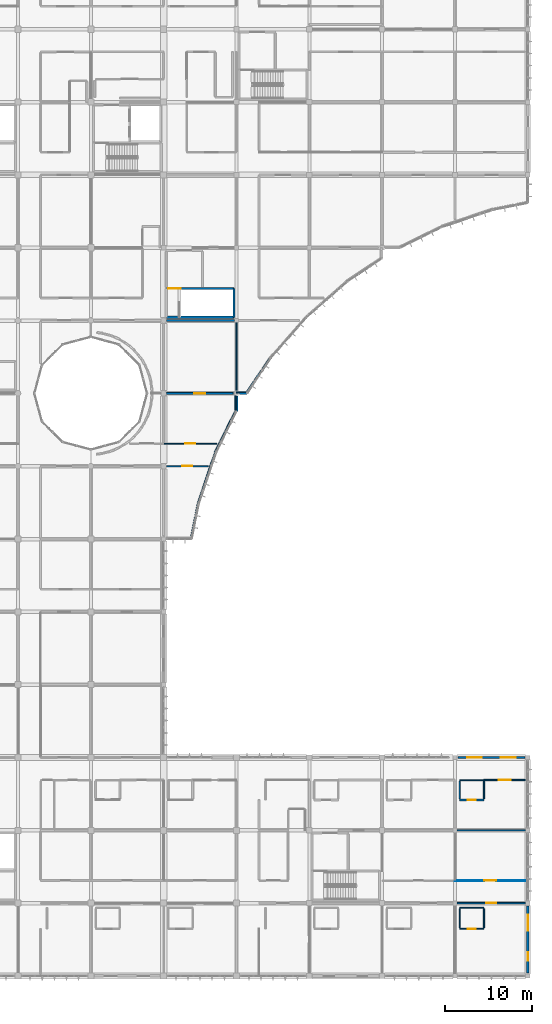
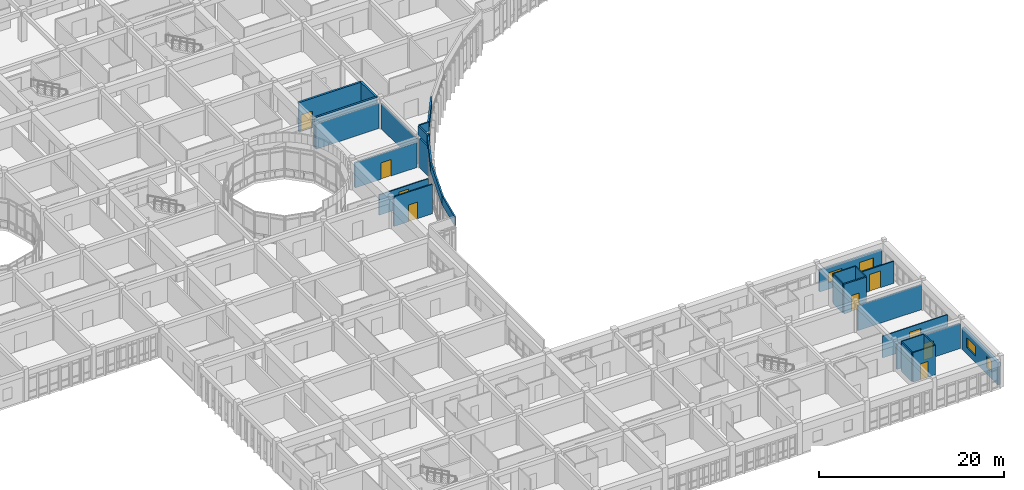
# One storey, part 97 of 119: 30 walls, 9 doors, 4 windows, 13 openings.
"""IFC4 building model written with IfcOpenShell, lengths in metres."""

from ifc_helpers import new_model, si_unit, direction, frame, frame_2d, origin, place, context, subcontext, project, spatial, rectangle, extrude, material, layer, layer_set, type_object, element, fill, save


model = new_model("IFC4")

# Units and contexts
model_context = context("Model", 3, precision=1e-05, world=origin(), true_north=direction((0.0, 1.0)))
body_context = subcontext(model_context, "Body", "Model", "MODEL_VIEW")
ifc_project = project(units=[si_unit("LENGTHUNIT", "METRE"), si_unit("AREAUNIT", "SQUARE_METRE"), si_unit("VOLUMEUNIT", "CUBIC_METRE"), si_unit("PLANEANGLEUNIT", "RADIAN"), si_unit("MASSUNIT", "GRAM", prefix="KILO")], contexts=[model_context])

# Site, building, storey
site_placement = place(None, origin())
site = spatial("IfcSite", under=ifc_project, at=site_placement, CompositionType="ELEMENT")
building_placement = place(site_placement, origin())
building = spatial("IfcBuilding", under=site, at=building_placement, Name="Bramfleet General Hospital", CompositionType="ELEMENT")
storey_placement = place(building_placement, frame((0.0, 0.0, 14.39990234375)))
storey = spatial("IfcBuildingStorey", under=building, at=storey_placement, Name="L03", CompositionType="ELEMENT", Elevation=14.39990234375)

# Wall
ifc_material_1 = material(Name="Precast concrete C40/50", Category="concrete")
ifc_layer_1 = layer(ifc_material_1, 0.3349609375, Name="WT-EW-03")
ifc_layer_set_1 = layer_set([ifc_layer_1], Name="Precast concrete C40/50")
wall_type_1 = type_object("IfcWallType", Name="WT-EW-03", PredefinedType="SOLIDWALL", material=ifc_layer_set_1)
wall_1_placement = place(storey_placement, frame((134.39990234375, 66.875, 0.0), z_axis=(0.0, 0.0, 1.0), x_axis=(0.0, -1.0, 0.0)))
element("IfcWall", 1, at=wall_1_placement, inside=storey, type_object=wall_type_1, Name="L03 Exterior Wall 260", PredefinedType="SOLIDWALL", context=body_context, shape_type="SweptSolid", body=[
    extrude(rectangle(XDim=1.7490234375, YDim=0.3349609375, at=frame_2d((0.87451171875, 0.0))), origin(), (0.0, 0.0, 1.0), 3.89013671875),
])

# Wall, openings, windows
wall_2_placement = place(storey_placement, frame((168.0, 8.074951171875, 0.0), z_axis=(0.0, 0.0, 1.0), x_axis=(0.0, -1.0, 0.0)))
wall_2 = element("IfcWall", 2, at=wall_2_placement, inside=storey, type_object=wall_type_1, Name="L03 Exterior Wall 267", PredefinedType="SOLIDWALL", context=body_context, shape_type="SweptSolid", body=[
    extrude(rectangle(XDim=7.75, YDim=0.3349609375, at=frame_2d((3.875, 0.0))), origin(), (0.0, 0.0, 1.0), 2.89013671875),
])
opening_1_placement = place(wall_2_placement, frame((1.012451171875, 0.0, 0.85009765625)))
opening_1 = element("IfcOpeningElement", 3, at=opening_1_placement, cuts=wall_2, Name="Opening W-10", PredefinedType="OPENING", context=body_context, shape_type="SweptSolid", body=[
    extrude(rectangle(XDim=1.85009765625, YDim=1.300048828125, at=frame_2d((0.925048828125, 0.64990234375))), frame((0.0, 0.177490234375, 0.0), z_axis=(0.0, -1.0, 0.0), x_axis=(1.0, 0.0, 0.0)), (0.0, 0.0, 1.0), 0.35498046875),
])
opening_2_placement = place(wall_2_placement, frame((5.3125, 0.0, 0.85009765625)))
opening_2 = element("IfcOpeningElement", 4, at=opening_2_placement, cuts=wall_2, Name="Opening W-11", PredefinedType="OPENING", context=body_context, shape_type="SweptSolid", body=[
    extrude(rectangle(XDim=1.0, YDim=1.419921875, at=frame_2d((0.5, 0.7099609375))), frame((0.0, 0.177490234375, 0.0), z_axis=(0.0, -1.0, 0.0), x_axis=(1.0, 0.0, 0.0)), (0.0, 0.0, 1.0), 0.35498046875),
])
ifc_material_2 = material(Name="Anodised aluminium and low-E triple glazing", Category="aluminium")
window_type_1 = type_object("IfcWindowType", Name="WIN-W-10", PartitioningType="SINGLE_PANEL", PredefinedType="WINDOW", material=ifc_material_2)
window_1_placement = place(opening_1_placement, origin())
window_1 = element("IfcWindow", 5, at=window_1_placement, inside=storey, type_object=window_type_1, Name="L03 Facade Window WIN-L03-267-1", OverallHeight=1.300048828125, OverallWidth=1.85009765625, PartitioningType="SINGLE_PANEL", PredefinedType="WINDOW", context=body_context, shape_type="SweptSolid", body=[
    extrude(rectangle(XDim=1.85009765625, YDim=1.300048828125, at=frame_2d((0.925048828125, 0.64990234375))), frame((0.0, 0.030029296875, 0.0), z_axis=(0.0, -1.0, 0.0), x_axis=(1.0, 0.0, 0.0)), (0.0, 0.0, 1.0), 0.06005859375),
])
fill(opening_1, window_1)
window_type_2 = type_object("IfcWindowType", Name="WIN-W-11", PartitioningType="SINGLE_PANEL", PredefinedType="WINDOW", material=ifc_material_2)
window_2_placement = place(opening_2_placement, origin())
window_2 = element("IfcWindow", 6, at=window_2_placement, inside=storey, type_object=window_type_2, Name="L03 Facade Window WIN-L03-267-2", OverallHeight=1.419921875, OverallWidth=1.0, PartitioningType="SINGLE_PANEL", PredefinedType="WINDOW", context=body_context, shape_type="SweptSolid", body=[
    extrude(rectangle(XDim=1.0, YDim=1.419921875, at=frame_2d((0.5, 0.7099609375))), frame((0.0, 0.030029296875, 0.0), z_axis=(0.0, -1.0, 0.0), x_axis=(1.0, 0.0, 0.0)), (0.0, 0.0, 1.0), 0.06005859375),
])
fill(opening_2, window_2)

# Wall
ifc_layer_2 = layer(ifc_material_1, 0.235107421875, Name="WT-EW-09")
ifc_layer_set_2 = layer_set([ifc_layer_2], Name="Precast concrete C40/50")
wall_type_2 = type_object("IfcWallType", Name="WT-EW-09", PredefinedType="SOLIDWALL", material=ifc_layer_set_2)
wall_3_placement = place(storey_placement, frame((135.633056640625, 67.199951171875, 0.0), z_axis=(0.0, 0.0, 1.0), x_axis=(-1.0, 0.0, 0.0)))
element("IfcWall", 7, at=wall_3_placement, inside=storey, type_object=wall_type_2, Name="L03 Exterior Wall 259", PredefinedType="SOLIDWALL", context=body_context, shape_type="SweptSolid", body=[
    extrude(rectangle(XDim=0.907958984375, YDim=0.235107421875, at=frame_2d((0.4541015625, 0.0))), origin(), (0.0, 0.0, 1.0), 3.89013671875),
])

# Wall, openings, windows
wall_4_placement = place(storey_placement, frame((159.925048828125, 25.199951171875, 0.0), z_axis=(0.0, 0.0, 1.0), x_axis=(1.0, 0.0, 0.0)))
wall_4 = element("IfcWall", 8, at=wall_4_placement, inside=storey, type_object=wall_type_2, Name="L03 Exterior Wall 266", PredefinedType="SOLIDWALL", context=body_context, shape_type="SweptSolid", body=[
    extrude(rectangle(XDim=7.75, YDim=0.235107421875, at=frame_2d((3.875, 0.0))), origin(), (0.0, 0.0, 1.0), 2.89013671875),
])
opening_3_placement = place(wall_4_placement, frame((1.112548828125, 0.0, 0.85009765625)))
opening_3 = element("IfcOpeningElement", 9, at=opening_3_placement, cuts=wall_4, Name="Opening W-08", PredefinedType="OPENING", context=body_context, shape_type="SweptSolid", body=[
    extrude(rectangle(XDim=1.64990234375, YDim=1.300048828125, at=frame_2d((0.824951171875, 0.64990234375))), frame((0.0, 0.12744140625, 0.0), z_axis=(0.0, -1.0, 0.0), x_axis=(1.0, 0.0, 0.0)), (0.0, 0.0, 1.0), 0.255126953125),
])
opening_4_placement = place(wall_4_placement, frame((4.9375, 0.0, 0.85009765625)))
opening_4 = element("IfcOpeningElement", 10, at=opening_4_placement, cuts=wall_4, Name="Opening W-09", PredefinedType="OPENING", context=body_context, shape_type="SweptSolid", body=[
    extrude(rectangle(XDim=1.75, YDim=1.300048828125, at=frame_2d((0.875, 0.64990234375))), frame((0.0, 0.12744140625, 0.0), z_axis=(0.0, -1.0, 0.0), x_axis=(1.0, 0.0, 0.0)), (0.0, 0.0, 1.0), 0.255126953125),
])
window_type_3 = type_object("IfcWindowType", Name="WIN-W-08", PartitioningType="SINGLE_PANEL", PredefinedType="WINDOW", material=ifc_material_2)
window_3_placement = place(opening_3_placement, origin())
window_3 = element("IfcWindow", 11, at=window_3_placement, inside=storey, type_object=window_type_3, Name="L03 Facade Window WIN-L03-266-1", OverallHeight=1.300048828125, OverallWidth=1.64990234375, PartitioningType="SINGLE_PANEL", PredefinedType="WINDOW", context=body_context, shape_type="SweptSolid", body=[
    extrude(rectangle(XDim=1.64990234375, YDim=1.300048828125, at=frame_2d((0.824951171875, 0.64990234375))), frame((0.0, 0.030029296875, 0.0), z_axis=(0.0, -1.0, 0.0), x_axis=(1.0, 0.0, 0.0)), (0.0, 0.0, 1.0), 0.06005859375),
])
fill(opening_3, window_3)
window_type_4 = type_object("IfcWindowType", Name="WIN-W-09", PartitioningType="SINGLE_PANEL", PredefinedType="WINDOW", material=ifc_material_2)
window_4_placement = place(opening_4_placement, origin())
window_4 = element("IfcWindow", 12, at=window_4_placement, inside=storey, type_object=window_type_4, Name="L03 Facade Window WIN-L03-266-2", OverallHeight=1.300048828125, OverallWidth=1.75, PartitioningType="SINGLE_PANEL", PredefinedType="WINDOW", context=body_context, shape_type="SweptSolid", body=[
    extrude(rectangle(XDim=1.75, YDim=1.300048828125, at=frame_2d((0.875, 0.64990234375))), frame((0.0, 0.030029296875, 0.0), z_axis=(0.0, -1.0, 0.0), x_axis=(1.0, 0.0, 0.0)), (0.0, 0.0, 1.0), 0.06005859375),
])
fill(opening_4, window_4)

# Wall, opening, door
ifc_material_3 = material(Name="Concrete C35/45", Category="concrete")
ifc_layer_3 = layer(ifc_material_3, 0.219970703125, Name="WT-IW-01")
ifc_layer_set_3 = layer_set([ifc_layer_3], Name="Concrete C35/45")
wall_type_3 = type_object("IfcWallType", Name="WT-IW-01", PredefinedType="PARTITIONING", material=ifc_layer_set_3)
wall_5_placement = place(storey_placement, frame((126.320068359375, 67.199951171875, 0.0), z_axis=(0.0, 0.0, 1.0), x_axis=(1.0, 0.0, 0.0)))
wall_5 = element("IfcWall", 13, at=wall_5_placement, inside=storey, type_object=wall_type_3, Name="L03 Interior Partition IW-L03-2581", PredefinedType="PARTITIONING", context=body_context, shape_type="SweptSolid", body=[
    extrude(rectangle(XDim=7.704833984375, YDim=0.219970703125, at=frame_2d((3.8525390625, 0.0))), origin(), (0.0, 0.0, 1.0), 3.2900390625),
])
opening_5_placement = place(wall_5_placement, frame((3.21240234375, 0.0, 0.0)))
opening_5 = element("IfcOpeningElement", 14, at=opening_5_placement, cuts=wall_5, Name="Opening D1181", PredefinedType="OPENING", context=body_context, shape_type="SweptSolid", body=[
    extrude(rectangle(XDim=1.280029296875, YDim=2.179931640625, at=frame_2d((0.64013671875, 1.08984375))), frame((0.0, 0.119873046875, 0.0), z_axis=(0.0, -1.0, 0.0), x_axis=(1.0, 0.0, 0.0)), (0.0, 0.0, 1.0), 0.239990234375),
])
ifc_material_4 = material(Name="Stainless steel and acoustic timber leaf", Category="steel")
door_type_1 = type_object("IfcDoorType", Name="DR-D-29", OperationType="NOTDEFINED", PredefinedType="DOOR", material=ifc_material_4)
door_1_placement = place(opening_5_placement, origin())
door_1 = element("IfcDoor", 15, at=door_1_placement, inside=storey, type_object=door_type_1, Name="Maternity Delivery Suite and Clinical Lab L03-1508 Door D1181", OperationType="SINGLE_SWING_RIGHT", OverallHeight=2.179931640625, OverallWidth=1.280029296875, PredefinedType="DOOR", context=body_context, shape_type="SweptSolid", body=[
    extrude(rectangle(XDim=1.280029296875, YDim=2.179931640625, at=frame_2d((0.64013671875, 1.08984375))), frame((0.0, 0.02490234375, 0.0), z_axis=(0.0, -1.0, 0.0), x_axis=(1.0, 0.0, 0.0)), (0.0, 0.0, 1.0), 0.050048828125),
])
fill(opening_5, door_1)

# Wall
ifc_layer_4 = layer(ifc_material_3, 0.205078125, Name="WT-IW-02")
ifc_layer_set_4 = layer_set([ifc_layer_4], Name="Concrete C35/45")
wall_type_4 = type_object("IfcWallType", Name="WT-IW-02", PredefinedType="PARTITIONING", material=ifc_layer_set_4)
wall_6_placement = place(storey_placement, frame((126.320068359375, 75.60009765625, 0.0), z_axis=(0.0, 0.0, 1.0), x_axis=(1.0, 0.0, 0.0)))
element("IfcWall", 16, at=wall_6_placement, inside=storey, type_object=wall_type_4, Name="L03 Interior Partition IW-L03-2594", PredefinedType="PARTITIONING", context=body_context, shape_type="SweptSolid", body=[
    extrude(rectangle(XDim=7.8349609375, YDim=0.205078125, at=frame_2d((3.91748046875, 0.0))), origin(), (0.0, 0.0, 1.0), 3.2900390625),
])

# Wall, opening, door
ifc_layer_5 = layer(ifc_material_3, 0.18994140625, Name="WT-IW-03")
ifc_layer_set_5 = layer_set([ifc_layer_5], Name="Concrete C35/45")
wall_type_5 = type_object("IfcWallType", Name="WT-IW-03", PredefinedType="PARTITIONING", material=ifc_layer_set_5)
wall_7_placement = place(storey_placement, frame((160.14990234375, 20.300048828125, 0.0), z_axis=(0.0, 0.0, 1.0), x_axis=(1.0, 0.0, 0.0)))
wall_7 = element("IfcWall", 17, at=wall_7_placement, inside=storey, type_object=wall_type_5, Name="L03 Interior Partition IW-L03-2499", PredefinedType="PARTITIONING", context=body_context, shape_type="SweptSolid", body=[
    extrude(rectangle(XDim=2.800048828125, YDim=0.18994140625, at=frame_2d((1.39990234375, 0.0))), origin(), (0.0, 0.0, 1.0), 3.89013671875),
])
opening_6_placement = place(wall_7_placement, frame((0.925048828125, 0.0, 0.0)))
opening_6 = element("IfcOpeningElement", 18, at=opening_6_placement, cuts=wall_7, Name="Opening D1216", PredefinedType="OPENING", context=body_context, shape_type="SweptSolid", body=[
    extrude(rectangle(XDim=0.949951171875, YDim=2.10009765625, at=frame_2d((0.47509765625, 1.050048828125))), frame((0.0, 0.10498046875, 0.0), z_axis=(0.0, -1.0, 0.0), x_axis=(1.0, 0.0, 0.0)), (0.0, 0.0, 1.0), 0.2099609375),
])
door_type_2 = type_object("IfcDoorType", Name="DR-D-10", OperationType="NOTDEFINED", PredefinedType="DOOR", material=ifc_material_4)
door_2_placement = place(opening_6_placement, origin())
door_2 = element("IfcDoor", 19, at=door_2_placement, inside=storey, type_object=door_type_2, Name="Paediatric En-Suite Bathroom L03-1902 Door D1216", OperationType="SINGLE_SWING_LEFT", OverallHeight=2.10009765625, OverallWidth=0.949951171875, PredefinedType="DOOR", context=body_context, shape_type="SweptSolid", body=[
    extrude(rectangle(XDim=0.949951171875, YDim=2.10009765625, at=frame_2d((0.47509765625, 1.050048828125))), frame((0.0, 0.02490234375, 0.0), z_axis=(0.0, -1.0, 0.0), x_axis=(1.0, 0.0, 0.0)), (0.0, 0.0, 1.0), 0.050048828125),
])
fill(opening_6, door_2)

ifc_layer_6 = layer(ifc_material_3, 0.179931640625, Name="WT-IW-04")
ifc_layer_set_6 = layer_set([ifc_layer_6], Name="Concrete C35/45")
wall_type_6 = type_object("IfcWallType", Name="WT-IW-04", PredefinedType="PARTITIONING", material=ifc_layer_set_6)
wall_8_placement = place(storey_placement, frame((159.844970703125, 8.39990234375, 0.0), z_axis=(0.0, 0.0, 1.0), x_axis=(1.0, 0.0, 0.0)))
wall_8 = element("IfcWall", 20, at=wall_8_placement, inside=storey, type_object=wall_type_6, Name="L03 Interior Partition IW-L03-2476", PredefinedType="PARTITIONING", context=body_context, shape_type="SweptSolid", body=[
    extrude(rectangle(XDim=7.909912109375, YDim=0.179931640625, at=frame_2d((3.955078125, 0.0))), origin(), (0.0, 0.0, 1.0), 3.2900390625),
])
opening_7_placement = place(wall_8_placement, frame((3.364990234375, 0.0, 0.0)))
opening_7 = element("IfcOpeningElement", 21, at=opening_7_placement, cuts=wall_8, Name="Opening D1212", PredefinedType="OPENING", context=body_context, shape_type="SweptSolid", body=[
    extrude(rectangle(XDim=1.179931640625, YDim=2.179931640625, at=frame_2d((0.58984375, 1.08984375))), frame((0.0, 0.099853515625, 0.0), z_axis=(0.0, -1.0, 0.0), x_axis=(1.0, 0.0, 0.0)), (0.0, 0.0, 1.0), 0.199951171875),
])
door_type_3 = type_object("IfcDoorType", Name="DR-D-28", OperationType="NOTDEFINED", PredefinedType="DOOR", material=ifc_material_4)
door_3_placement = place(opening_7_placement, origin())
door_3 = element("IfcDoor", 22, at=door_3_placement, inside=storey, type_object=door_type_3, Name="Paediatric Ward Bedroom L03-1900 Door D1212", OperationType="SINGLE_SWING_LEFT", OverallHeight=2.179931640625, OverallWidth=1.179931640625, PredefinedType="DOOR", context=body_context, shape_type="SweptSolid", body=[
    extrude(rectangle(XDim=1.179931640625, YDim=2.179931640625, at=frame_2d((0.58984375, 1.08984375))), frame((0.0, 0.02490234375, 0.0), z_axis=(0.0, -1.0, 0.0), x_axis=(1.0, 0.0, 0.0)), (0.0, 0.0, 1.0), 0.050048828125),
])
fill(opening_7, door_3)

ifc_material_5 = material(Name="Gypsum plasterboard on acoustic steel studs", Category="steel")
ifc_layer_7 = layer(ifc_material_5, 0.159912109375, Name="WT-IW-06")
ifc_layer_set_7 = layer_set([ifc_layer_7], Name="Gypsum plasterboard on acoustic steel studs")
wall_type_7 = type_object("IfcWallType", Name="WT-IW-06", PredefinedType="PARTITIONING", material=ifc_layer_set_7)
wall_9_placement = place(storey_placement, frame((162.949951171875, 22.60009765625, 0.0), z_axis=(0.0, 0.0, 1.0), x_axis=(1.0, 0.0, 0.0)))
wall_9 = element("IfcWall", 23, at=wall_9_placement, inside=storey, type_object=wall_type_7, Name="L03 Interior Partition IW-L03-2514", PredefinedType="PARTITIONING", context=body_context, shape_type="SweptSolid", body=[
    extrude(rectangle(XDim=4.77001953125, YDim=0.159912109375, at=frame_2d((2.385009765625, 0.0))), origin(), (0.0, 0.0, 1.0), 2.89013671875),
])
opening_8_placement = place(wall_9_placement, frame((1.675048828125, 0.0, 0.0)))
opening_8 = element("IfcOpeningElement", 24, at=opening_8_placement, cuts=wall_9, Name="Opening D1215", PredefinedType="OPENING", context=body_context, shape_type="SweptSolid", body=[
    extrude(rectangle(XDim=1.419921875, YDim=2.219970703125, at=frame_2d((0.7099609375, 1.10986328125))), frame((0.0, 0.08984375, 0.0), z_axis=(0.0, -1.0, 0.0), x_axis=(1.0, 0.0, 0.0)), (0.0, 0.0, 1.0), 0.179931640625),
])
door_type_4 = type_object("IfcDoorType", Name="DR-D-31", OperationType="NOTDEFINED", PredefinedType="DOOR", material=ifc_material_4)
door_4_placement = place(opening_8_placement, origin())
door_4 = element("IfcDoor", 25, at=door_4_placement, inside=storey, type_object=door_type_4, Name="Paediatric Ward Bedroom L03-1902 Door D1215", OperationType="SINGLE_SWING_RIGHT", OverallHeight=2.219970703125, OverallWidth=1.419921875, PredefinedType="DOOR", context=body_context, shape_type="SweptSolid", body=[
    extrude(rectangle(XDim=1.419921875, YDim=2.219970703125, at=frame_2d((0.7099609375, 1.10986328125))), frame((0.0, 0.02490234375, 0.0), z_axis=(0.0, -1.0, 0.0), x_axis=(1.0, 0.0, 0.0)), (0.0, 0.0, 1.0), 0.050048828125),
])
fill(opening_8, door_4)

ifc_layer_8 = layer(ifc_material_5, 0.14990234375, Name="WT-IW-07")
ifc_layer_set_8 = layer_set([ifc_layer_8], Name="Gypsum plasterboard on acoustic steel studs")
wall_type_8 = type_object("IfcWallType", Name="WT-IW-07", PredefinedType="PARTITIONING", material=ifc_layer_set_8)
wall_10_placement = place(storey_placement, frame((126.320068359375, 58.800048828125, 0.0), z_axis=(0.0, 0.0, 1.0), x_axis=(1.0, 0.0, 0.0)))
wall_10 = element("IfcWall", 26, at=wall_10_placement, inside=storey, type_object=wall_type_8, Name="L03 Interior Partition IW-L03-2551", PredefinedType="PARTITIONING", context=body_context, shape_type="SweptSolid", body=[
    extrude(rectangle(XDim=4.797119140625, YDim=0.14990234375, at=frame_2d((2.3984375, 0.0))), origin(), (0.0, 0.0, 1.0), 3.89013671875),
])
opening_9_placement = place(wall_10_placement, frame((1.838623046875, 0.0, 0.0)))
opening_9 = element("IfcOpeningElement", 27, at=opening_9_placement, cuts=wall_10, Name="Opening D1179", PredefinedType="OPENING", context=body_context, shape_type="SweptSolid", body=[
    extrude(rectangle(XDim=1.1201171875, YDim=2.179931640625, at=frame_2d((0.56005859375, 1.08984375))), frame((0.0, 0.0849609375, 0.0), z_axis=(0.0, -1.0, 0.0), x_axis=(1.0, 0.0, 0.0)), (0.0, 0.0, 1.0), 0.169921875),
])
door_type_5 = type_object("IfcDoorType", Name="DR-D-27", OperationType="NOTDEFINED", PredefinedType="DOOR", material=ifc_material_4)
door_5_placement = place(opening_9_placement, origin())
door_5 = element("IfcDoor", 28, at=door_5_placement, inside=storey, type_object=door_type_5, Name="Maternity Delivery Suite and Clinical Lab L03-1506 Door D1179", OperationType="SINGLE_SWING_RIGHT", OverallHeight=2.179931640625, OverallWidth=1.1201171875, PredefinedType="DOOR", context=body_context, shape_type="SweptSolid", body=[
    extrude(rectangle(XDim=1.1201171875, YDim=2.179931640625, at=frame_2d((0.56005859375, 1.08984375))), frame((0.0, 0.02490234375, 0.0), z_axis=(0.0, -1.0, 0.0), x_axis=(1.0, 0.0, 0.0)), (0.0, 0.0, 1.0), 0.050048828125),
])
fill(opening_9, door_5)

# Walls
wall_11_placement = place(storey_placement, frame((134.39990234375, 67.58251953125, 0.0), z_axis=(0.0, 0.0, 1.0), x_axis=(0.0, 1.0, 0.0)))
element("IfcWall", 29, at=wall_11_placement, inside=storey, type_object=wall_type_8, Name="L03 Interior Partition IW-L03-3019", PredefinedType="PARTITIONING", context=body_context, shape_type="SweptSolid", body=[
    extrude(rectangle(XDim=7.7724609375, YDim=0.14990234375, at=frame_2d((3.88623046875, 0.0))), origin(), (0.0, 0.0, 1.0), 3.340087890625),
])
wall_12_placement = place(storey_placement, frame((160.14990234375, 20.4150390625, 0.0), z_axis=(0.0, 0.0, 1.0), x_axis=(0.0, 1.0, 0.0)))
element("IfcWall", 30, at=wall_12_placement, inside=storey, type_object=wall_type_8, Name="L03 Interior Partition IW-L03-3067", PredefinedType="PARTITIONING", context=body_context, shape_type="SweptSolid", body=[
    extrude(rectangle(XDim=2.070068359375, YDim=0.14990234375, at=frame_2d((1.03515625, 0.0))), origin(), (0.0, 0.0, 1.0), 3.89013671875),
])
ifc_layer_9 = layer(ifc_material_5, 0.139892578125, Name="WT-IW-08")
ifc_layer_set_9 = layer_set([ifc_layer_9], Name="Gypsum plasterboard on acoustic steel studs")
wall_type_9 = type_object("IfcWallType", Name="WT-IW-08", PredefinedType="PARTITIONING", material=ifc_layer_set_9)
wall_13_placement = place(storey_placement, frame((159.844970703125, 16.800048828125, 0.0), z_axis=(0.0, 0.0, 1.0), x_axis=(1.0, 0.0, 0.0)))
element("IfcWall", 31, at=wall_13_placement, inside=storey, type_object=wall_type_9, Name="L03 Interior Partition IW-L03-2492", PredefinedType="PARTITIONING", context=body_context, shape_type="SweptSolid", body=[
    extrude(rectangle(XDim=7.909912109375, YDim=0.139892578125, at=frame_2d((3.955078125, 0.0))), origin(), (0.0, 0.0, 1.0), 3.2900390625),
])
ifc_layer_10 = layer(ifc_material_5, 0.1298828125, Name="WT-IW-09")
ifc_layer_set_10 = layer_set([ifc_layer_10], Name="Gypsum plasterboard on acoustic steel studs")
wall_type_10 = type_object("IfcWallType", Name="WT-IW-09", PredefinedType="PARTITIONING", material=ifc_layer_set_10)
wall_14_placement = place(storey_placement, frame((162.949951171875, 20.4150390625, 0.0), z_axis=(0.0, 0.0, 1.0), x_axis=(0.0, 1.0, 0.0)))
element("IfcWall", 32, at=wall_14_placement, inside=storey, type_object=wall_type_10, Name="L03 Interior Partition IW-L03-3069", PredefinedType="PARTITIONING", context=body_context, shape_type="SweptSolid", body=[
    extrude(rectangle(XDim=2.070068359375, YDim=0.1298828125, at=frame_2d((1.03515625, 0.0))), origin(), (0.0, 0.0, 1.0), 3.89013671875),
])

# Wall, opening, door
ifc_layer_11 = layer(ifc_material_5, 0.1201171875, Name="WT-IW-10")
ifc_layer_set_11 = layer_set([ifc_layer_11], Name="Gypsum plasterboard on acoustic steel studs")
wall_type_11 = type_object("IfcWallType", Name="WT-IW-10", PredefinedType="PARTITIONING", material=ifc_layer_set_11)
wall_15_placement = place(storey_placement, frame((160.14990234375, 5.429931640625, 0.0), z_axis=(0.0, 0.0, 1.0), x_axis=(1.0, 0.0, 0.0)))
wall_15 = element("IfcWall", 33, at=wall_15_placement, inside=storey, type_object=wall_type_11, Name="L03 Interior Partition IW-L03-2460", PredefinedType="PARTITIONING", context=body_context, shape_type="SweptSolid", body=[
    extrude(rectangle(XDim=2.800048828125, YDim=0.1201171875, at=frame_2d((1.39990234375, 0.0))), origin(), (0.0, 0.0, 1.0), 3.89013671875),
])
opening_10_placement = place(wall_15_placement, frame((0.925048828125, 0.0, 0.0)))
opening_10 = element("IfcOpeningElement", 34, at=opening_10_placement, cuts=wall_15, Name="Opening D1213", PredefinedType="OPENING", context=body_context, shape_type="SweptSolid", body=[
    extrude(rectangle(XDim=0.949951171875, YDim=2.10009765625, at=frame_2d((0.47509765625, 1.050048828125))), frame((0.0, 0.070068359375, 0.0), z_axis=(0.0, -1.0, 0.0), x_axis=(1.0, 0.0, 0.0)), (0.0, 0.0, 1.0), 0.14013671875),
])
door_6_placement = place(opening_10_placement, origin())
door_6 = element("IfcDoor", 35, at=door_6_placement, inside=storey, type_object=door_type_2, Name="Paediatric En-Suite Bathroom L03-1900 Door D1213", OperationType="SINGLE_SWING_LEFT", OverallHeight=2.10009765625, OverallWidth=0.949951171875, PredefinedType="DOOR", context=body_context, shape_type="SweptSolid", body=[
    extrude(rectangle(XDim=0.949951171875, YDim=2.10009765625, at=frame_2d((0.47509765625, 1.050048828125))), frame((0.0, 0.02490234375, 0.0), z_axis=(0.0, -1.0, 0.0), x_axis=(1.0, 0.0, 0.0)), (0.0, 0.0, 1.0), 0.050048828125),
])
fill(opening_10, door_6)

# Walls
for number, where, z_axis, x_axis, name in (
    (36, (160.14990234375, 7.8798828125, 0.0), (0.0, 0.0, 1.0), (1.0, 0.0, 0.0), "L03 Interior Partition IW-L03-2467"),
    (37, (160.14990234375, 22.60009765625, 0.0), (0.0, 0.0, 1.0), (1.0, 0.0, 0.0), "L03 Interior Partition IW-L03-2513"),
):
    element("IfcWall", number, at=place(storey_placement, frame(where, z_axis=z_axis, x_axis=x_axis)), inside=storey, type_object=wall_type_11, Name=name, PredefinedType="PARTITIONING", context=body_context, shape_type="SweptSolid", body=[
        extrude(rectangle(XDim=2.800048828125, YDim=0.1201171875, at=frame_2d((1.39990234375, 0.0))), origin(), (0.0, 0.0, 1.0), 3.89013671875),
    ])

# Wall, opening, door
wall_16_placement = place(storey_placement, frame((126.0, 61.39990234375, 0.0), z_axis=(0.0, 0.0, 1.0), x_axis=(1.0, 0.0, 0.0)))
wall_16 = element("IfcWall", 38, at=wall_16_placement, inside=storey, type_object=wall_type_11, Name="L03 Interior Partition IW-L03-2566", PredefinedType="PARTITIONING", context=body_context, shape_type="SweptSolid", body=[
    extrude(rectangle(XDim=6.12744140625, YDim=0.1201171875, at=frame_2d((3.063720703125, 0.0))), origin(), (0.0, 0.0, 1.0), 2.690185546875),
])
opening_11_placement = place(wall_16_placement, frame((2.4736328125, 0.0, 0.0)))
opening_11 = element("IfcOpeningElement", 39, at=opening_11_placement, cuts=wall_16, Name="Opening D1180", PredefinedType="OPENING", context=body_context, shape_type="SweptSolid", body=[
    extrude(rectangle(XDim=1.179931640625, YDim=2.179931640625, at=frame_2d((0.58984375, 1.08984375))), frame((0.0, 0.070068359375, 0.0), z_axis=(0.0, -1.0, 0.0), x_axis=(1.0, 0.0, 0.0)), (0.0, 0.0, 1.0), 0.14013671875),
])
door_7_placement = place(opening_11_placement, origin())
door_7 = element("IfcDoor", 40, at=door_7_placement, inside=storey, type_object=door_type_3, Name="Maternity Delivery Suite and Clinical Lab L03-1507 Door D1180", OperationType="SINGLE_SWING_LEFT", OverallHeight=2.179931640625, OverallWidth=1.179931640625, PredefinedType="DOOR", context=body_context, shape_type="SweptSolid", body=[
    extrude(rectangle(XDim=1.179931640625, YDim=2.179931640625, at=frame_2d((0.58984375, 1.08984375))), frame((0.0, 0.02490234375, 0.0), z_axis=(0.0, -1.0, 0.0), x_axis=(1.0, 0.0, 0.0)), (0.0, 0.0, 1.0), 0.050048828125),
])
fill(opening_11, door_7)

# Walls
for number, where, z_axis, x_axis, name in (
    (41, (160.14990234375, 5.544921875, 0.0), (0.0, 0.0, 1.0), (0.0, 1.0, 0.0), "L03 Interior Partition IW-L03-3066"),
    (42, (162.949951171875, 5.544921875, 0.0), (0.0, 0.0, 1.0), (0.0, 1.0, 0.0), "L03 Interior Partition IW-L03-3068"),
):
    element("IfcWall", number, at=place(storey_placement, frame(where, z_axis=z_axis, x_axis=x_axis)), inside=storey, type_object=wall_type_11, Name=name, PredefinedType="PARTITIONING", context=body_context, shape_type="SweptSolid", body=[
        extrude(rectangle(XDim=2.219970703125, YDim=0.1201171875, at=frame_2d((1.10986328125, 0.0))), origin(), (0.0, 0.0, 1.0), 3.89013671875),
    ])

# Wall, opening, door
ifc_layer_12 = layer(ifc_material_5, 0.112060546875, Name="WT-IW-11")
ifc_layer_set_12 = layer_set([ifc_layer_12], Name="Gypsum plasterboard on acoustic steel studs")
wall_type_12 = type_object("IfcWallType", Name="WT-IW-11", PredefinedType="PARTITIONING", material=ifc_layer_set_12)
wall_17_placement = place(storey_placement, frame((159.60009765625, 11.0, 0.0), z_axis=(0.0, 0.0, 1.0), x_axis=(1.0, 0.0, 0.0)))
wall_17 = element("IfcWall", 43, at=wall_17_placement, inside=storey, type_object=wall_type_12, Name="L03 Interior Partition IW-L03-2483", PredefinedType="PARTITIONING", context=body_context, shape_type="SweptSolid", body=[
    extrude(rectangle(XDim=8.119873046875, YDim=0.112060546875, at=frame_2d((4.06005859375, 0.0))), origin(), (0.0, 0.0, 1.0), 2.89013671875),
])
opening_12_placement = place(wall_17_placement, frame((3.3701171875, 0.0, 0.0)))
opening_12 = element("IfcOpeningElement", 44, at=opening_12_placement, cuts=wall_17, Name="Opening D1214", PredefinedType="OPENING", context=body_context, shape_type="SweptSolid", body=[
    extrude(rectangle(XDim=1.3798828125, YDim=2.219970703125, at=frame_2d((0.68994140625, 1.10986328125))), frame((0.0, 0.06591796875, 0.0), z_axis=(0.0, -1.0, 0.0), x_axis=(1.0, 0.0, 0.0)), (0.0, 0.0, 1.0), 0.132080078125),
])
door_type_6 = type_object("IfcDoorType", Name="DR-D-30", OperationType="NOTDEFINED", PredefinedType="DOOR", material=ifc_material_4)
door_8_placement = place(opening_12_placement, origin())
door_8 = element("IfcDoor", 45, at=door_8_placement, inside=storey, type_object=door_type_6, Name="Paediatric Nurse Station and Play Lounge L03-1901 Door D1214", OperationType="SINGLE_SWING_LEFT", OverallHeight=2.219970703125, OverallWidth=1.3798828125, PredefinedType="DOOR", context=body_context, shape_type="SweptSolid", body=[
    extrude(rectangle(XDim=1.3798828125, YDim=2.219970703125, at=frame_2d((0.68994140625, 1.10986328125))), frame((0.0, 0.02490234375, 0.0), z_axis=(0.0, -1.0, 0.0), x_axis=(1.0, 0.0, 0.0)), (0.0, 0.0, 1.0), 0.050048828125),
])
fill(opening_12, door_8)

# Walls
ifc_layer_13 = layer(ifc_material_1, 0.199951171875, Name="WT-PW-01")
ifc_layer_set_13 = layer_set([ifc_layer_13], Name="Precast concrete C40/50")
wall_type_13 = type_object("IfcWallType", Name="WT-PW-01", PredefinedType="PARAPET", material=ifc_layer_set_13)
wall_18_placement = place(storey_placement, frame((138.2275390625, 71.281494140625, 4.18017578125), z_axis=(0.0, 0.0, 1.0), x_axis=(-0.555585388542, -0.831459485506, 0.0)))
element("IfcWall", 46, at=wall_18_placement, inside=storey, type_object=wall_type_13, Name="Roof Parapet Wall 7", PredefinedType="PARAPET", context=body_context, shape_type="SweptSolid", body=[
    extrude(rectangle(XDim=4.83544921875, YDim=0.199951171875, at=frame_2d((2.417724609375, 0.0))), origin(), (0.0, 0.0, 1.0), 1.169921875),
])
wall_19_placement = place(storey_placement, frame((134.30126953125, 65.175048828125, 4.18017578125), z_axis=(0.0, 0.0, 1.0), x_axis=(-0.442291469854, -0.896871370763, 0.0)))
element("IfcWall", 47, at=wall_19_placement, inside=storey, type_object=wall_type_13, Name="Roof Parapet Wall 10", PredefinedType="PARAPET", context=body_context, shape_type="SweptSolid", body=[
    extrude(rectangle(XDim=5.3046875, YDim=0.199951171875, at=frame_2d((2.65234375, 0.0))), origin(), (0.0, 0.0, 1.0), 1.169921875),
])
ifc_layer_14 = layer(ifc_material_1, 0.18505859375, Name="WT-PW-02")
ifc_layer_set_14 = layer_set([ifc_layer_14], Name="Precast concrete C40/50")
wall_type_14 = type_object("IfcWallType", Name="WT-PW-02", PredefinedType="PARAPET", material=ifc_layer_set_14)
wall_20_placement = place(storey_placement, frame((135.632568359375, 67.302490234375, 4.18017578125), z_axis=(0.0, 0.0, 1.0), x_axis=(-1.0, 0.0, 0.0)))
element("IfcWall", 48, at=wall_20_placement, inside=storey, type_object=wall_type_14, Name="Roof Parapet Wall 8", PredefinedType="PARAPET", context=body_context, shape_type="SweptSolid", body=[
    extrude(rectangle(XDim=1.232666015625, YDim=0.18505859375, at=frame_2d((0.6162109375, 0.0))), origin(), (0.0, 0.0, 1.0), 1.169921875),
])
wall_21_placement = place(storey_placement, frame((131.956787109375, 60.401611328125, 4.18017578125), z_axis=(0.0, 0.0, 1.0), x_axis=(-0.321460730255, -0.94692291075, 0.0)))
element("IfcWall", 49, at=wall_21_placement, inside=storey, type_object=wall_type_14, Name="Roof Parapet Wall 11", PredefinedType="PARAPET", context=body_context, shape_type="SweptSolid", body=[
    extrude(rectangle(XDim=6.278564453125, YDim=0.18505859375, at=frame_2d((3.13916015625, 0.0))), origin(), (0.0, 0.0, 1.0), 1.169921875),
])
ifc_layer_15 = layer(ifc_material_1, 0.169921875, Name="WT-PW-03")
ifc_layer_set_15 = layer_set([ifc_layer_15], Name="Precast concrete C40/50")
wall_type_15 = type_object("IfcWallType", Name="WT-PW-03", PredefinedType="PARAPET", material=ifc_layer_set_15)
wall_22_placement = place(storey_placement, frame((134.304931640625, 67.199951171875, 4.18017578125), z_axis=(0.0, 0.0, 1.0), x_axis=(0.0, -1.0, 0.0)))
element("IfcWall", 50, at=wall_22_placement, inside=storey, type_object=wall_type_15, Name="Roof Parapet Wall 9", PredefinedType="PARAPET", context=body_context, shape_type="SweptSolid", body=[
    extrude(rectangle(XDim=2.073486328125, YDim=0.169921875, at=frame_2d((1.03662109375, 0.0))), origin(), (0.0, 0.0, 1.0), 1.169921875),
])
wall_23_placement = place(storey_placement, frame((129.9423828125, 54.44189453125, 4.18017578125), z_axis=(0.0, 0.0, 1.0), x_axis=(-0.195085981744, -0.980786143727, 0.0)))
element("IfcWall", 51, at=wall_23_placement, inside=storey, type_object=wall_type_15, Name="Roof Parapet Wall 12", PredefinedType="PARAPET", context=body_context, shape_type="SweptSolid", body=[
    extrude(rectangle(XDim=4.102294921875, YDim=0.169921875, at=frame_2d((2.05126953125, 0.0))), origin(), (0.0, 0.0, 1.0), 1.169921875),
])
ifc_material_6 = material(Name="Concrete C40/50", Category="concrete")
ifc_layer_16 = layer(ifc_material_6, 0.239990234375, Name="WT-SW-240")
ifc_layer_set_16 = layer_set([ifc_layer_16], Name="Concrete C40/50")
wall_type_16 = type_object("IfcWallType", Name="WT-SW-240", PredefinedType="SHEAR", material=ifc_layer_set_16)
wall_24_placement = place(storey_placement, frame((126.300048828125, 75.97998046875, 0.0), z_axis=(0.0, 0.0, 1.0), x_axis=(1.0, 0.0, 0.0)))
element("IfcWall", 52, at=wall_24_placement, inside=storey, type_object=wall_type_16, Name="L03 C12 South Stair Shear Wall", PredefinedType="SHEAR", context=body_context, shape_type="SweptSolid", body=[
    extrude(rectangle(XDim=7.820068359375, YDim=0.239990234375, at=frame_2d((3.91015625, 0.0))), origin(), (0.0, 0.0, 1.0), 3.900146484375),
])
wall_25_placement = place(storey_placement, frame((134.1201171875, 75.97998046875, 0.0), z_axis=(0.0, 0.0, 1.0), x_axis=(0.0, 1.0, 0.0)))
element("IfcWall", 53, at=wall_25_placement, inside=storey, type_object=wall_type_16, Name="L03 C12 East Stair Shear Wall", PredefinedType="SHEAR", context=body_context, shape_type="SweptSolid", body=[
    extrude(rectangle(XDim=3.320068359375, YDim=0.239990234375, at=frame_2d((1.66015625, 0.0))), origin(), (0.0, 0.0, 1.0), 3.900146484375),
])

# Wall, opening, door
wall_26_placement = place(storey_placement, frame((126.300048828125, 79.300048828125, 0.0), z_axis=(0.0, 0.0, 1.0), x_axis=(1.0, 0.0, 0.0)))
wall_26 = element("IfcWall", 54, at=wall_26_placement, inside=storey, type_object=wall_type_16, Name="L03 C12 Stair-Lobby Shear Wall", PredefinedType="SHEAR", context=body_context, shape_type="SweptSolid", body=[
    extrude(rectangle(XDim=7.820068359375, YDim=0.239990234375, at=frame_2d((3.91015625, 0.0))), origin(), (0.0, 0.0, 1.0), 3.900146484375),
])
opening_13_placement = place(wall_26_placement, frame((0.25, 0.0, 0.0)))
opening_13 = element("IfcOpeningElement", 55, at=opening_13_placement, cuts=wall_26, Name="Opening D0163", PredefinedType="OPENING", context=body_context, shape_type="SweptSolid", body=[
    extrude(rectangle(XDim=1.449951171875, YDim=2.199951171875, at=frame_2d((0.72509765625, 1.10009765625))), frame((0.0, 0.1298828125, 0.0), z_axis=(0.0, -1.0, 0.0), x_axis=(1.0, 0.0, 0.0)), (0.0, 0.0, 1.0), 0.260009765625),
])
door_type_7 = type_object("IfcDoorType", Name="DR-D-03", OperationType="NOTDEFINED", PredefinedType="DOOR", material=ifc_material_4)
door_9_placement = place(opening_13_placement, origin())
door_9 = element("IfcDoor", 56, at=door_9_placement, inside=storey, type_object=door_type_7, Name="L03 C12 Escape Stair Fire Door D0163", OperationType="SINGLE_SWING_RIGHT", OverallHeight=2.199951171875, OverallWidth=1.449951171875, PredefinedType="DOOR", context=body_context, shape_type="SweptSolid", body=[
    extrude(rectangle(XDim=1.449951171875, YDim=2.199951171875, at=frame_2d((0.72509765625, 1.10009765625))), frame((0.0, 0.02490234375, 0.0), z_axis=(0.0, -1.0, 0.0), x_axis=(1.0, 0.0, 0.0)), (0.0, 0.0, 1.0), 0.050048828125),
])
fill(opening_13, door_9)

save(model, "model.ifc")
